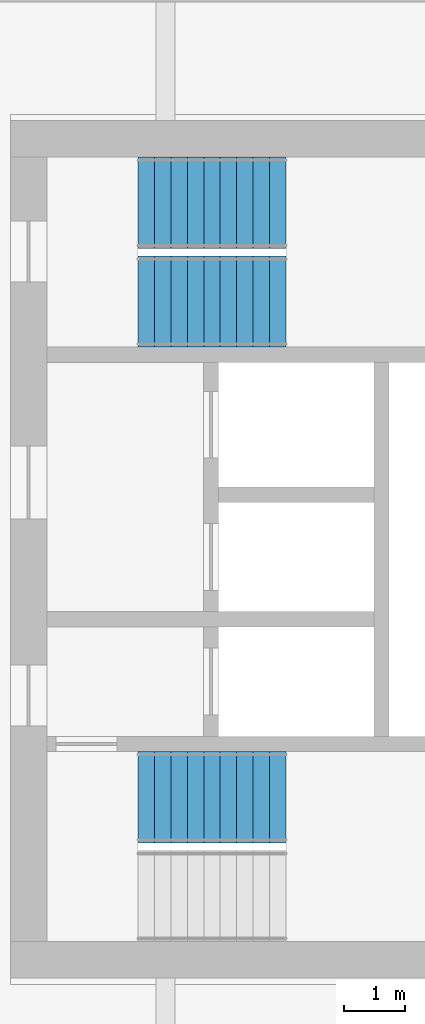
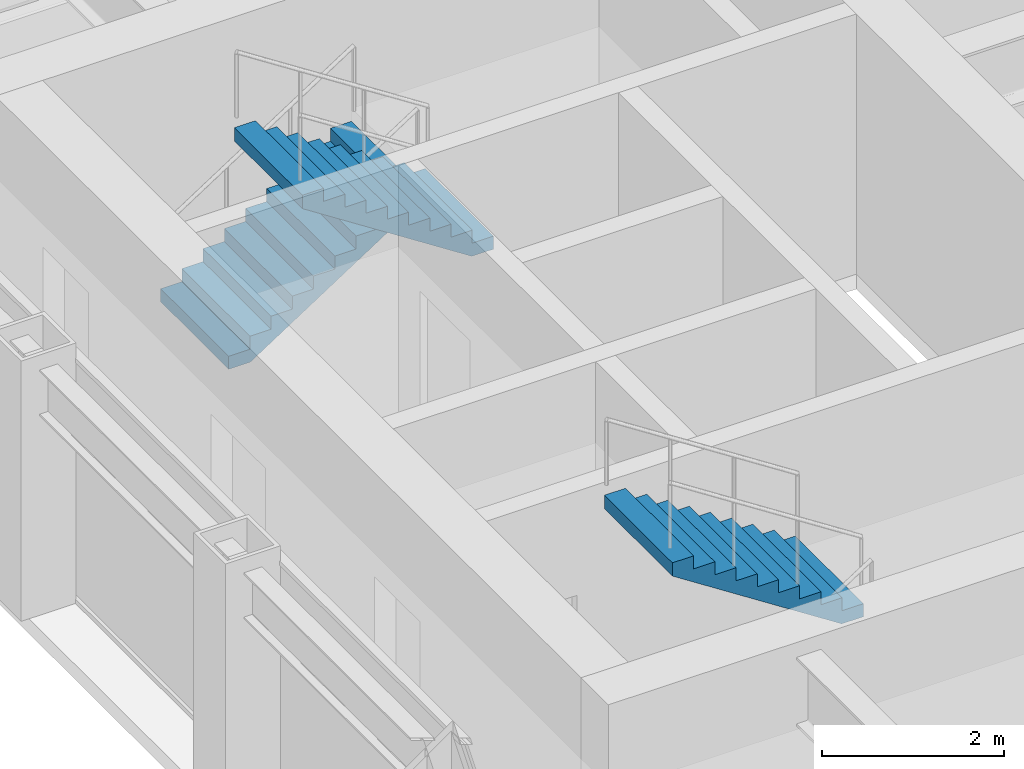
# One storey, part 16 of 21: 3 stair flights, 2 elements without a shape of their own.
"""IFC4 building model written with IfcOpenShell, lengths in metres."""

import ifcopenshell
import ifcopenshell.guid

model = None  # the IFC model being written
_history = None  # IfcOwnerHistory: only IFC2X3 demands one
_inside = {}  # id of a spatial element -> (the spatial element, [elements in it])
_under = {}  # id of a project, library or spatial element -> (it, [spatial elements below it])
_declared = {}  # id of a project -> (the project, [libraries it declares])
_typed = {}  # id of a type object -> (the type object, [elements of that type])
_made_of = {}  # id of a material, layer set ... -> (it, [elements and type objects made of it])


def new_model(schema):
    """Start an empty IFC model of exactly this schema.

    Asked for "IFC4X3", IfcOpenShell would pick the latest addendum, in which some entities
    have other attributes; the version numbers below select the first issue.
    IFC2X3 requires an IfcOwnerHistory on every rooted entity: one is made here for all.
    """
    global model, _history
    if schema == "IFC4X3":
        model = ifcopenshell.file(schema_version=(4, 3, 0, 0))
    else:
        model = ifcopenshell.file(schema=schema)
    _inside.clear()
    _under.clear()
    _declared.clear()
    _typed.clear()
    _made_of.clear()
    _history = None
    if model.schema == "IFC2X3":
        org = make("IfcOrganization", Name="unknown")
        user = make(
            "IfcPersonAndOrganization",
            ThePerson=make("IfcPerson", FamilyName="unknown"),
            TheOrganization=org,
        )
        app = make(
            "IfcApplication",
            ApplicationDeveloper=org,
            Version="unknown",
            ApplicationFullName="unknown",
            ApplicationIdentifier="unknown",
        )
        _history = make(
            "IfcOwnerHistory",
            OwningUser=user,
            OwningApplication=app,
            ChangeAction="ADDED",
            CreationDate=0,
        )
    return model


def make(cls, **values):
    """One entity of the class cls with the attributes given. An attribute that is None is left unset."""
    return model.create_entity(
        cls, **{name: value for name, value in values.items() if value is not None}
    )


def rooted(cls, **values):
    """An entity with a GlobalId (a new one), such as an element, a storey or a relation."""
    return make(cls, GlobalId=ifcopenshell.guid.new(), OwnerHistory=_history, **values)


def si_unit(unit_type, name, prefix=None):
    """IfcSIUnit, for example si_unit("LENGTHUNIT", "METRE", prefix="MILLI")."""
    return make("IfcSIUnit", UnitType=unit_type, Prefix=prefix, Name=name)


def assignment(units):
    """IfcUnitAssignment: the units of a project."""
    return None if units is None else make("IfcUnitAssignment", Units=units)


def point(xyz):
    """IfcCartesianPoint."""
    return None if xyz is None else make("IfcCartesianPoint", Coordinates=xyz)


def direction(xyz):
    """IfcDirection."""
    return None if xyz is None else make("IfcDirection", DirectionRatios=xyz)


def frame(location, z_axis=None, x_axis=None):
    """IfcAxis2Placement3D, a coordinate frame: its origin and axes. An axis left out is left unset."""
    return make(
        "IfcAxis2Placement3D",
        Location=point(location),
        Axis=direction(z_axis),
        RefDirection=direction(x_axis),
    )


def origin():
    """The frame at (0, 0, 0) with its axes left unset."""
    return frame((0.0, 0.0, 0.0))


def place(relative_to, where):
    """IfcLocalPlacement: puts the frame where relative to a parent placement (None: the world)."""
    return make(
        "IfcLocalPlacement", PlacementRelTo=relative_to, RelativePlacement=where
    )


def context(
    kind, dimensions, precision=None, world=None, true_north=None, identifier=None
):
    """IfcGeometricRepresentationContext, for example the 3D "Model" context."""
    return make(
        "IfcGeometricRepresentationContext",
        ContextIdentifier=identifier,
        ContextType=kind,
        CoordinateSpaceDimension=dimensions,
        Precision=precision,
        WorldCoordinateSystem=world,
        TrueNorth=true_north,
    )


def subcontext(parent, identifier, kind, view, scale=None):
    """IfcGeometricRepresentationSubContext, for example "Body" below "Model"."""
    return make(
        "IfcGeometricRepresentationSubContext",
        ContextIdentifier=identifier,
        ContextType=kind,
        ParentContext=parent,
        TargetScale=scale,
        TargetView=view,
    )


def project(units=None, contexts=None):
    """IfcProject with its units and contexts."""
    return rooted(
        "IfcProject",
        Name="project",
        RepresentationContexts=contexts,
        UnitsInContext=assignment(units),
    )


def spatial(cls, under=None, at=None, **own):
    """A site, building, storey or space (cls), placed at a placement, below another one or the project."""
    s = rooted(cls, ObjectPlacement=at, **own)
    if under is not None:
        _under.setdefault(under.id(), (under, []))[1].append(s)
    return s


def polyline(points):
    """IfcPolyline through the points."""
    return make("IfcPolyline", Points=[point(p) for p in points])


def outline(outer, holes=None, kind="AREA"):
    """IfcArbitraryClosedProfileDef: a profile drawn as a closed curve; with holes, ...WithVoids."""
    if holes is None:
        return make("IfcArbitraryClosedProfileDef", ProfileType=kind, OuterCurve=outer)
    return make(
        "IfcArbitraryProfileDefWithVoids",
        ProfileType=kind,
        OuterCurve=outer,
        InnerCurves=holes,
    )


def extrude(swept, where, along, depth):
    """IfcExtrudedAreaSolid: the profile swept, set in the frame where, extruded along a direction by depth."""
    return make(
        "IfcExtrudedAreaSolid",
        SweptArea=swept,
        Position=where,
        ExtrudedDirection=direction(along),
        Depth=depth,
    )


def shape(context_of_items, identifier, shape_type, items):
    """IfcShapeRepresentation: the items that make up one representation, for example the "Body"."""
    return make(
        "IfcShapeRepresentation",
        ContextOfItems=context_of_items,
        RepresentationIdentifier=identifier,
        RepresentationType=shape_type,
        Items=items,
    )


def material(Name=None, Category=None):
    """IfcMaterial."""
    return make("IfcMaterial", Name=Name, Category=Category)


def made_of(thing, what):
    """Note that an element or type object is made of a material, layer set ...; save() writes the relation."""
    if what is not None:
        _made_of.setdefault(what.id(), (what, []))[1].append(thing)
    return thing


def type_object(cls, material=None, **own):
    """A type object (cls), such as IfcWallType, which elements share."""
    return made_of(rooted(cls, **own), material)


def element(
    cls,
    number,
    at=None,
    inside=None,
    cuts=None,
    type_object=None,
    material=None,
    context=None,
    identifier="Body",
    shape_type=None,
    held_by="IfcProductDefinitionShape",
    body=None,
    shapes=None,
    **own,
):
    """One element of the class cls, such as IfcWall. Its Tag is "e" and its number.

    at: its placement. inside: the storey or other place that contains it. cuts: it is an
    opening in that element (IfcRelVoidsElement). A single representation is given by context,
    identifier, shape_type and body (its items); several are given by shapes. held_by: the class
    of the entity that holds the representations. save() writes the other relations.
    """
    e = rooted(cls, Tag="e%d" % number, ObjectPlacement=at, **own)
    if body is not None:
        shapes = [shape(context, identifier, shape_type, body)]
    if shapes is not None:
        e.Representation = make(held_by, Representations=shapes)
    if inside is not None:
        _inside.setdefault(inside.id(), (inside, []))[1].append(e)
    if cuts is not None:
        rooted(
            "IfcRelVoidsElement", RelatingBuildingElement=cuts, RelatedOpeningElement=e
        )
    if type_object is not None:
        _typed.setdefault(type_object.id(), (type_object, []))[1].append(e)
    return made_of(e, material)


def aggregate(whole, parts):
    """IfcRelAggregates: a whole, such as a stair, and the parts it consists of."""
    return rooted("IfcRelAggregates", RelatingObject=whole, RelatedObjects=parts)


def save(model, path):
    """Write the relations noted so far, then the file.

    IfcRelAggregates (storeys below a building ...), IfcRelContainedInSpatialStructure (elements
    in a storey), IfcRelDefinesByType, IfcRelAssociatesMaterial and IfcRelDeclares: one each for
    every whole, place, type object, material and project.
    """
    for whole, parts in _under.values():
        aggregate(whole, parts)
    for where, things in _inside.values():
        rooted(
            "IfcRelContainedInSpatialStructure",
            RelatedElements=things,
            RelatingStructure=where,
        )
    for kind, things in _typed.values():
        rooted("IfcRelDefinesByType", RelatedObjects=things, RelatingType=kind)
    for what, things in _made_of.values():
        rooted("IfcRelAssociatesMaterial", RelatedObjects=things, RelatingMaterial=what)
    for by, libraries in _declared.values():
        rooted("IfcRelDeclares", RelatingContext=by, RelatedDefinitions=libraries)
    model.write(path)


model = new_model("IFC4")

# Units and contexts
model_context = context("Model", 3, precision=1e-05, world=origin(), true_north=direction((0.0, 1.0)))
body_context = subcontext(model_context, "Body", "Model", "MODEL_VIEW")
ifc_project = project(units=[si_unit("LENGTHUNIT", "METRE"), si_unit("AREAUNIT", "SQUARE_METRE"), si_unit("VOLUMEUNIT", "CUBIC_METRE"), si_unit("PLANEANGLEUNIT", "RADIAN"), si_unit("MASSUNIT", "GRAM", prefix="KILO")], contexts=[model_context])

# Site, building, storey
site_placement = place(None, origin())
site = spatial("IfcSite", under=ifc_project, at=site_placement, CompositionType="ELEMENT")
building_placement = place(site_placement, origin())
building = spatial("IfcBuilding", under=site, at=building_placement, Name="Msasa Ring Tower", CompositionType="ELEMENT")
storey_placement = place(building_placement, frame((0.0, 0.0, 100.0)))
storey = spatial("IfcBuildingStorey", under=building, at=storey_placement, Name="L26", CompositionType="ELEMENT", Elevation=100.0)

# Stair, stair flight
ifc_material_1 = material(Name="Concrete C40/50", Category="concrete")
stair_type = type_object("IfcStairType", Name="STC CORE STAIR 20 RISERS 175", PredefinedType="HALF_TURN_STAIR", material=ifc_material_1)
stair_1_placement = place(storey_placement, origin())
stair_1 = element("IfcStair", 1, at=stair_1_placement, inside=storey, type_object=stair_type, Name="Core stair SEA L26", PredefinedType="HALF_TURN_STAIR")
ifc_material_2 = material(Name="Concrete C40/50", Category="concrete")
stair_flight_type = type_object("IfcStairFlightType", Name="ST12 CORE STAIR FLIGHT 1500 10 RISERS 175", PredefinedType="STRAIGHT", material=ifc_material_2)
stair_flight_1_placement = place(storey_placement, frame((13.22998046875, -4.074951171875, 1.75), z_axis=(0.0, 0.0, 1.0), x_axis=(-1.0, 0.0, 0.0)))
stair_flight_1 = element("IfcStairFlight", 2, at=stair_flight_1_placement, type_object=stair_flight_type, Name="SEA flight 2", NumberOfRisers=10, NumberOfTreads=9, PredefinedType="STRAIGHT", RiserHeight=0.175, TreadLength=0.27, context=body_context, shape_type="SweptSolid", body=[
    extrude(outline(polyline([(0.0, 0.0), (0.0, 0.175048828125), (0.27001953125, 0.175048828125), (0.27001953125, 0.35009765625), (0.5400390625, 0.35009765625), (0.5400390625, 0.52490234375), (0.81005859375, 0.52490234375), (0.81005859375, 0.699951171875), (1.080078125, 0.699951171875), (1.080078125, 0.875), (1.35009765625, 0.875), (1.35009765625, 1.050048828125), (1.6201171875, 1.050048828125), (1.6201171875, 1.22509765625), (1.889892578125, 1.22509765625), (1.889892578125, 1.39990234375), (2.159912109375, 1.39990234375), (2.159912109375, 1.574951171875), (2.429931640625, 1.574951171875), (2.429931640625, 1.75), (2.429931640625, 1.396484375), (0.275634765625, 0.0), (0.0, 0.0)])), frame((0.0, 0.75, 0.0), z_axis=(0.0, -1.0, 0.0), x_axis=(1.0, 0.0, 0.0)), (0.0, 0.0, 1.0), 1.5),
])
aggregate(stair_1, [stair_flight_1])

# Stair, stair flights
stair_2_placement = place(storey_placement, origin())
stair_2 = element("IfcStair", 3, at=stair_2_placement, inside=storey, type_object=stair_type, Name="Core stair SEB L26", PredefinedType="HALF_TURN_STAIR")
stair_flight_2_placement = place(storey_placement, frame((10.800048828125, 5.699951171875, 0.0), z_axis=(0.0, 0.0, 1.0), x_axis=(1.0, 0.0, 0.0)))
stair_flight_2 = element("IfcStairFlight", 4, at=stair_flight_2_placement, type_object=stair_flight_type, Name="SEB flight 1", NumberOfRisers=10, NumberOfTreads=9, PredefinedType="STRAIGHT", RiserHeight=0.175, TreadLength=0.27, context=body_context, shape_type="SweptSolid", body=[
    extrude(outline(polyline([(0.0, 0.0), (0.0, 0.175048828125), (0.27001953125, 0.175048828125), (0.27001953125, 0.35009765625), (0.5400390625, 0.35009765625), (0.5400390625, 0.52490234375), (0.81005859375, 0.52490234375), (0.81005859375, 0.699951171875), (1.080078125, 0.699951171875), (1.080078125, 0.875), (1.35009765625, 0.875), (1.35009765625, 1.050048828125), (1.6201171875, 1.050048828125), (1.6201171875, 1.22509765625), (1.889892578125, 1.22509765625), (1.889892578125, 1.39990234375), (2.159912109375, 1.39990234375), (2.159912109375, 1.574951171875), (2.429931640625, 1.574951171875), (2.429931640625, 1.75), (2.429931640625, 1.396484375), (0.275634765625, 0.0), (0.0, 0.0)])), frame((0.0, 0.75, 0.0), z_axis=(0.0, -1.0, 0.0), x_axis=(1.0, 0.0, 0.0)), (0.0, 0.0, 1.0), 1.5),
])
stair_flight_3_placement = place(storey_placement, frame((13.22998046875, 4.074951171875, 1.75), z_axis=(0.0, 0.0, 1.0), x_axis=(-1.0, 0.0, 0.0)))
stair_flight_3 = element("IfcStairFlight", 5, at=stair_flight_3_placement, type_object=stair_flight_type, Name="SEB flight 2", NumberOfRisers=10, NumberOfTreads=9, PredefinedType="STRAIGHT", RiserHeight=0.175, TreadLength=0.27, context=body_context, shape_type="SweptSolid", body=[
    extrude(outline(polyline([(0.0, 0.0), (0.0, 0.175048828125), (0.27001953125, 0.175048828125), (0.27001953125, 0.35009765625), (0.5400390625, 0.35009765625), (0.5400390625, 0.52490234375), (0.81005859375, 0.52490234375), (0.81005859375, 0.699951171875), (1.080078125, 0.699951171875), (1.080078125, 0.875), (1.35009765625, 0.875), (1.35009765625, 1.050048828125), (1.6201171875, 1.050048828125), (1.6201171875, 1.22509765625), (1.889892578125, 1.22509765625), (1.889892578125, 1.39990234375), (2.159912109375, 1.39990234375), (2.159912109375, 1.574951171875), (2.429931640625, 1.574951171875), (2.429931640625, 1.75), (2.429931640625, 1.396484375), (0.275634765625, 0.0), (0.0, 0.0)])), frame((0.0, 0.75, 0.0), z_axis=(0.0, -1.0, 0.0), x_axis=(1.0, 0.0, 0.0)), (0.0, 0.0, 1.0), 1.5),
])
aggregate(stair_2, [stair_flight_2, stair_flight_3])

save(model, "model.ifc")
